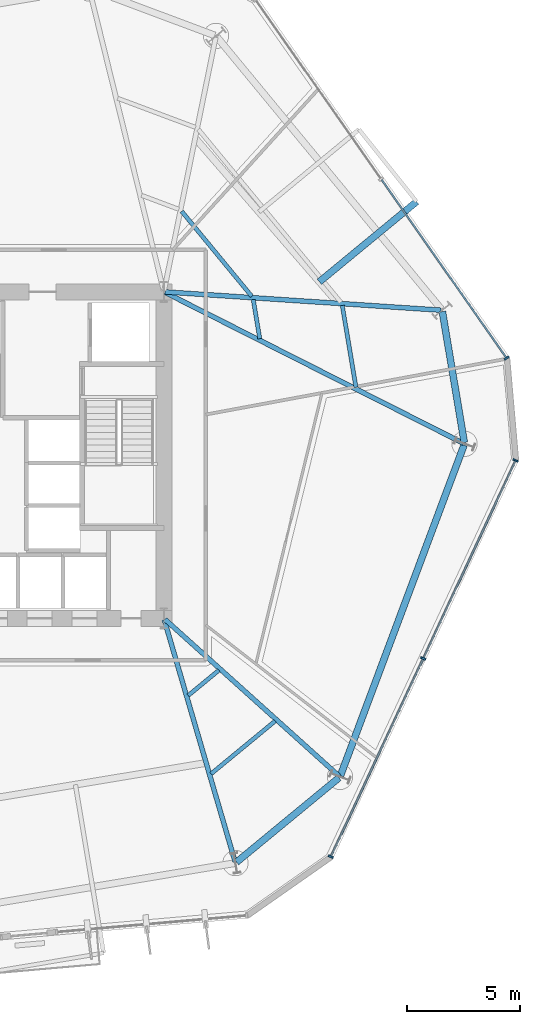
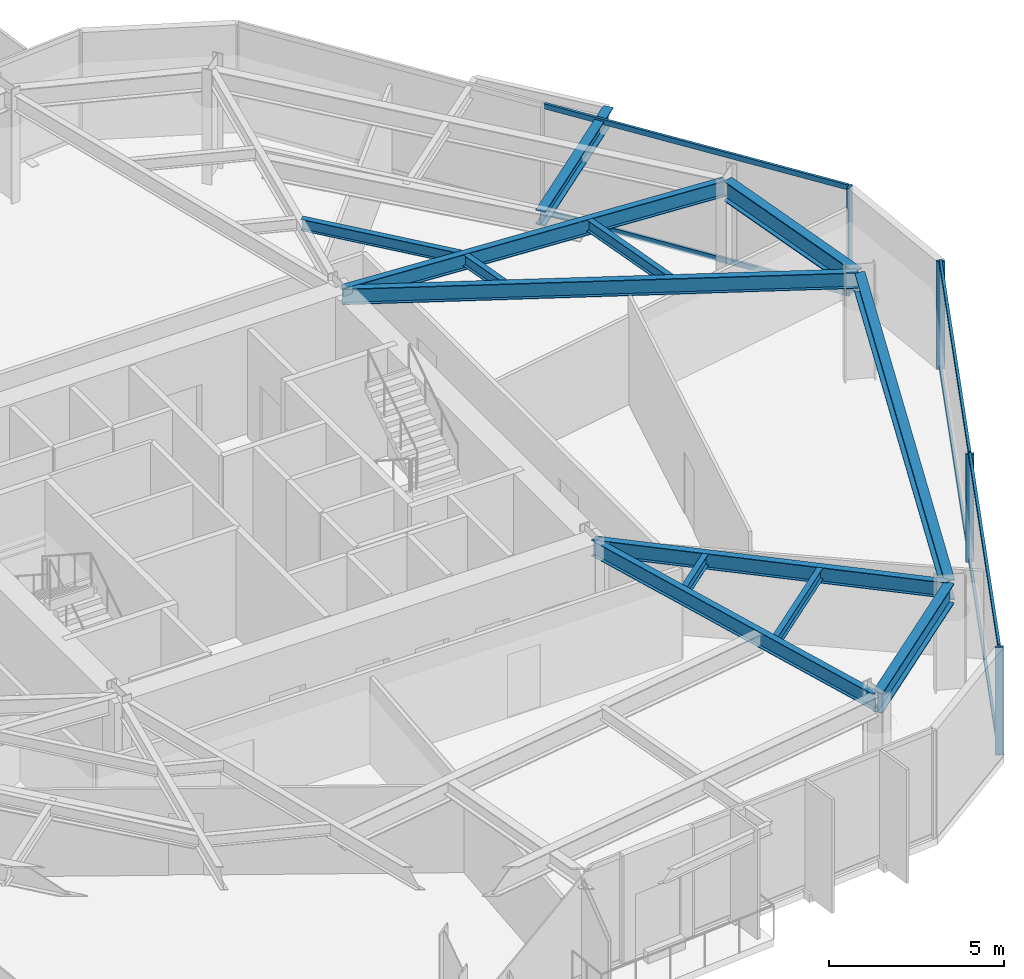
# One storey, part 4 of 11: 13 beams, 10 members, 2 elements without a shape of their own.
"""IFC4 building model written with IfcOpenShell, lengths in metres."""

import ifcopenshell
import ifcopenshell.guid

model = None  # the IFC model being written
_history = None  # IfcOwnerHistory: only IFC2X3 demands one
_inside = {}  # id of a spatial element -> (the spatial element, [elements in it])
_under = {}  # id of a project, library or spatial element -> (it, [spatial elements below it])
_declared = {}  # id of a project -> (the project, [libraries it declares])
_typed = {}  # id of a type object -> (the type object, [elements of that type])
_made_of = {}  # id of a material, layer set ... -> (it, [elements and type objects made of it])


def new_model(schema):
    """Start an empty IFC model of exactly this schema.

    Asked for "IFC4X3", IfcOpenShell would pick the latest addendum, in which some entities
    have other attributes; the version numbers below select the first issue.
    IFC2X3 requires an IfcOwnerHistory on every rooted entity: one is made here for all.
    """
    global model, _history
    if schema == "IFC4X3":
        model = ifcopenshell.file(schema_version=(4, 3, 0, 0))
    else:
        model = ifcopenshell.file(schema=schema)
    _inside.clear()
    _under.clear()
    _declared.clear()
    _typed.clear()
    _made_of.clear()
    _history = None
    if model.schema == "IFC2X3":
        org = make("IfcOrganization", Name="unknown")
        user = make(
            "IfcPersonAndOrganization",
            ThePerson=make("IfcPerson", FamilyName="unknown"),
            TheOrganization=org,
        )
        app = make(
            "IfcApplication",
            ApplicationDeveloper=org,
            Version="unknown",
            ApplicationFullName="unknown",
            ApplicationIdentifier="unknown",
        )
        _history = make(
            "IfcOwnerHistory",
            OwningUser=user,
            OwningApplication=app,
            ChangeAction="ADDED",
            CreationDate=0,
        )
    return model


def make(cls, **values):
    """One entity of the class cls with the attributes given. An attribute that is None is left unset."""
    return model.create_entity(
        cls, **{name: value for name, value in values.items() if value is not None}
    )


def rooted(cls, **values):
    """An entity with a GlobalId (a new one), such as an element, a storey or a relation."""
    return make(cls, GlobalId=ifcopenshell.guid.new(), OwnerHistory=_history, **values)


def si_unit(unit_type, name, prefix=None):
    """IfcSIUnit, for example si_unit("LENGTHUNIT", "METRE", prefix="MILLI")."""
    return make("IfcSIUnit", UnitType=unit_type, Prefix=prefix, Name=name)


def assignment(units):
    """IfcUnitAssignment: the units of a project."""
    return None if units is None else make("IfcUnitAssignment", Units=units)


def point(xyz):
    """IfcCartesianPoint."""
    return None if xyz is None else make("IfcCartesianPoint", Coordinates=xyz)


def direction(xyz):
    """IfcDirection."""
    return None if xyz is None else make("IfcDirection", DirectionRatios=xyz)


def frame(location, z_axis=None, x_axis=None):
    """IfcAxis2Placement3D, a coordinate frame: its origin and axes. An axis left out is left unset."""
    return make(
        "IfcAxis2Placement3D",
        Location=point(location),
        Axis=direction(z_axis),
        RefDirection=direction(x_axis),
    )


def frame_2d(location, x_axis=None):
    """IfcAxis2Placement2D, a coordinate frame in the plane: its origin and x axis."""
    return make(
        "IfcAxis2Placement2D", Location=point(location), RefDirection=direction(x_axis)
    )


def origin():
    """The frame at (0, 0, 0) with its axes left unset."""
    return frame((0.0, 0.0, 0.0))


def origin_2d():
    """The frame at (0, 0) in the plane with its x axis left unset."""
    return frame_2d((0.0, 0.0))


def place(relative_to, where):
    """IfcLocalPlacement: puts the frame where relative to a parent placement (None: the world)."""
    return make(
        "IfcLocalPlacement", PlacementRelTo=relative_to, RelativePlacement=where
    )


def context(
    kind, dimensions, precision=None, world=None, true_north=None, identifier=None
):
    """IfcGeometricRepresentationContext, for example the 3D "Model" context."""
    return make(
        "IfcGeometricRepresentationContext",
        ContextIdentifier=identifier,
        ContextType=kind,
        CoordinateSpaceDimension=dimensions,
        Precision=precision,
        WorldCoordinateSystem=world,
        TrueNorth=true_north,
    )


def subcontext(parent, identifier, kind, view, scale=None):
    """IfcGeometricRepresentationSubContext, for example "Body" below "Model"."""
    return make(
        "IfcGeometricRepresentationSubContext",
        ContextIdentifier=identifier,
        ContextType=kind,
        ParentContext=parent,
        TargetScale=scale,
        TargetView=view,
    )


def project(units=None, contexts=None):
    """IfcProject with its units and contexts."""
    return rooted(
        "IfcProject",
        Name="project",
        RepresentationContexts=contexts,
        UnitsInContext=assignment(units),
    )


def spatial(cls, under=None, at=None, **own):
    """A site, building, storey or space (cls), placed at a placement, below another one or the project."""
    s = rooted(cls, ObjectPlacement=at, **own)
    if under is not None:
        _under.setdefault(under.id(), (under, []))[1].append(s)
    return s


def profile(cls, at=None, kind="AREA", **sizes):
    """A parametric profile (cls). Its sizes go by their IFC names, for example OverallWidth=200.0."""
    return make(cls, ProfileType=kind, Position=at, **sizes)


def rectangle(**sizes):
    """IfcRectangleProfileDef."""
    return profile("IfcRectangleProfileDef", **sizes)


def i_section(**sizes):
    """IfcIShapeProfileDef."""
    return profile("IfcIShapeProfileDef", **sizes)


def extrude(swept, where, along, depth):
    """IfcExtrudedAreaSolid: the profile swept, set in the frame where, extruded along a direction by depth."""
    return make(
        "IfcExtrudedAreaSolid",
        SweptArea=swept,
        Position=where,
        ExtrudedDirection=direction(along),
        Depth=depth,
    )


def shape(context_of_items, identifier, shape_type, items):
    """IfcShapeRepresentation: the items that make up one representation, for example the "Body"."""
    return make(
        "IfcShapeRepresentation",
        ContextOfItems=context_of_items,
        RepresentationIdentifier=identifier,
        RepresentationType=shape_type,
        Items=items,
    )


def material(Name=None, Category=None):
    """IfcMaterial."""
    return make("IfcMaterial", Name=Name, Category=Category)


def layer(
    of_material, thickness, ventilated=None, Name=None, Category=None, Priority=None
):
    """IfcMaterialLayer: one layer of a wall or slab, of a material (None: an air gap)."""
    return make(
        "IfcMaterialLayer",
        Material=of_material,
        LayerThickness=thickness,
        IsVentilated=ventilated,
        Name=Name,
        Category=Category,
        Priority=Priority,
    )


def layer_set(layers, Name=None):
    """IfcMaterialLayerSet."""
    return make("IfcMaterialLayerSet", MaterialLayers=layers, LayerSetName=Name)


def material_profile(
    of_material, cross_section, Name=None, Category=None, Priority=None
):
    """IfcMaterialProfile: a cross section and its material."""
    return make(
        "IfcMaterialProfile",
        Name=Name,
        Material=of_material,
        Profile=cross_section,
        Priority=Priority,
        Category=Category,
    )


def profile_set(profiles, Name=None, composite=None):
    """IfcMaterialProfileSet."""
    return make(
        "IfcMaterialProfileSet",
        Name=Name,
        MaterialProfiles=profiles,
        CompositeProfile=composite,
    )


def made_of(thing, what):
    """Note that an element or type object is made of a material, layer set ...; save() writes the relation."""
    if what is not None:
        _made_of.setdefault(what.id(), (what, []))[1].append(thing)
    return thing


def type_object(cls, material=None, **own):
    """A type object (cls), such as IfcWallType, which elements share."""
    return made_of(rooted(cls, **own), material)


def element(
    cls,
    number,
    at=None,
    inside=None,
    cuts=None,
    type_object=None,
    material=None,
    context=None,
    identifier="Body",
    shape_type=None,
    held_by="IfcProductDefinitionShape",
    body=None,
    shapes=None,
    **own,
):
    """One element of the class cls, such as IfcWall. Its Tag is "e" and its number.

    at: its placement. inside: the storey or other place that contains it. cuts: it is an
    opening in that element (IfcRelVoidsElement). A single representation is given by context,
    identifier, shape_type and body (its items); several are given by shapes. held_by: the class
    of the entity that holds the representations. save() writes the other relations.
    """
    e = rooted(cls, Tag="e%d" % number, ObjectPlacement=at, **own)
    if body is not None:
        shapes = [shape(context, identifier, shape_type, body)]
    if shapes is not None:
        e.Representation = make(held_by, Representations=shapes)
    if inside is not None:
        _inside.setdefault(inside.id(), (inside, []))[1].append(e)
    if cuts is not None:
        rooted(
            "IfcRelVoidsElement", RelatingBuildingElement=cuts, RelatedOpeningElement=e
        )
    if type_object is not None:
        _typed.setdefault(type_object.id(), (type_object, []))[1].append(e)
    return made_of(e, material)


def aggregate(whole, parts):
    """IfcRelAggregates: a whole, such as a stair, and the parts it consists of."""
    return rooted("IfcRelAggregates", RelatingObject=whole, RelatedObjects=parts)


def save(model, path):
    """Write the relations noted so far, then the file.

    IfcRelAggregates (storeys below a building ...), IfcRelContainedInSpatialStructure (elements
    in a storey), IfcRelDefinesByType, IfcRelAssociatesMaterial and IfcRelDeclares: one each for
    every whole, place, type object, material and project.
    """
    for whole, parts in _under.values():
        aggregate(whole, parts)
    for where, things in _inside.values():
        rooted(
            "IfcRelContainedInSpatialStructure",
            RelatedElements=things,
            RelatingStructure=where,
        )
    for kind, things in _typed.values():
        rooted("IfcRelDefinesByType", RelatedObjects=things, RelatingType=kind)
    for what, things in _made_of.values():
        rooted("IfcRelAssociatesMaterial", RelatedObjects=things, RelatingMaterial=what)
    for by, libraries in _declared.values():
        rooted("IfcRelDeclares", RelatingContext=by, RelatedDefinitions=libraries)
    model.write(path)


model = new_model("IFC4")

# Units and contexts
model_context = context("Model", 3, precision=1e-05, world=origin(), true_north=direction((0.0, 1.0)))
body_context = subcontext(model_context, "Body", "Model", "MODEL_VIEW")
ifc_project = project(units=[si_unit("LENGTHUNIT", "METRE"), si_unit("AREAUNIT", "SQUARE_METRE"), si_unit("VOLUMEUNIT", "CUBIC_METRE"), si_unit("PLANEANGLEUNIT", "RADIAN"), si_unit("MASSUNIT", "GRAM", prefix="KILO")], contexts=[model_context])

# Site, building, storey
site_placement = place(None, origin())
site = spatial("IfcSite", under=ifc_project, at=site_placement, CompositionType="ELEMENT")
building_placement = place(site_placement, origin())
building = spatial("IfcBuilding", under=site, at=building_placement, Name="Kranzbogen Civic Tower", CompositionType="ELEMENT")
storey_placement = place(building_placement, frame((0.0, 0.0, 40.0)))
storey = spatial("IfcBuildingStorey", under=building, at=storey_placement, Name="L09", CompositionType="ELEMENT", Elevation=40.0)

# Curtain wall, member
ifc_material_1 = material(Name="Pale Anodised Aluminium", Category="aluminium")
ifc_layer = layer(ifc_material_1, 0.219970703125, Name="Pale Anodised Aluminium")
ifc_layer_set = layer_set([ifc_layer], Name="Pale Anodised Aluminium")
curtain_wall_type = type_object("IfcCurtainWallType", Name="Zone 1 Stick Curtain Wall System CW-02", PredefinedType="USERDEFINED", material=ifc_layer_set)
curtain_wall_1_placement = place(storey_placement, origin())
curtain_wall_1 = element("IfcCurtainWall", 1, at=curtain_wall_1_placement, inside=storey, type_object=curtain_wall_type, Name="L09 curtain wall CW-L09-F1", ObjectType="STICK CURTAIN WALL", PredefinedType="USERDEFINED")
ifc_material_profile_1 = material_profile(ifc_material_1, rectangle(XDim=0.080078125, YDim=0.239990234375, at=origin_2d()), Name="ALU-M 80x240")
ifc_profile_set_1 = profile_set([ifc_material_profile_1], Name="Pale Anodised Aluminium")
member_type_1 = type_object("IfcMemberType", Name="Curtain Wall Mullion ALU-M 80x240", PredefinedType="MULLION", material=ifc_profile_set_1)
member_1_placement = place(storey_placement, frame((47.913818359375, 29.275634765625, 0.0), z_axis=(0.0, 0.0, 1.0), x_axis=(-0.573562973826, 0.819161470685, 0.0)))
member_1 = element("IfcMember", 2, at=member_1_placement, type_object=member_type_1, Name="CW-02 mullion 1", PredefinedType="MULLION", context=body_context, shape_type="SweptSolid", body=[
    extrude(rectangle(XDim=0.080078125, YDim=0.239990234375, at=origin_2d()), origin(), (0.0, 0.0, 1.0), 3.760009765625),
])

# Curtain wall, members
curtain_wall_2_placement = place(storey_placement, origin())
curtain_wall_2 = element("IfcCurtainWall", 3, at=curtain_wall_2_placement, inside=storey, type_object=curtain_wall_type, Name="L09 curtain wall CW-L09-F6", ObjectType="STICK CURTAIN WALL", PredefinedType="USERDEFINED")
member_2_placement = place(storey_placement, frame((40.15966796875, 7.293212890625, 0.0), z_axis=(0.0, 0.0, 1.0), x_axis=(0.422622213878, 0.906305944114, 0.0)))
member_2 = element("IfcMember", 4, at=member_2_placement, type_object=member_type_1, Name="CW-02 mullion 1", PredefinedType="MULLION", context=body_context, shape_type="SweptSolid", body=[
    extrude(rectangle(XDim=0.080078125, YDim=0.239990234375, at=origin_2d()), origin(), (0.0, 0.0, 1.0), 3.760009765625),
])
member_3_placement = place(storey_placement, frame((44.23388671875, 16.030517578125, 0.0), z_axis=(0.0, 0.0, 1.0), x_axis=(0.422622213878, 0.906305944114, 0.0)))
member_3 = element("IfcMember", 5, at=member_3_placement, type_object=member_type_1, Name="CW-02 mullion 2", PredefinedType="MULLION", context=body_context, shape_type="SweptSolid", body=[
    extrude(rectangle(XDim=0.080078125, YDim=0.239990234375, at=origin_2d()), origin(), (0.0, 0.0, 1.0), 3.760009765625),
])
member_4_placement = place(storey_placement, frame((48.308349609375, 24.767822265625, 0.0), z_axis=(0.0, 0.0, 1.0), x_axis=(0.422622213878, 0.906305944114, 0.0)))
member_4 = element("IfcMember", 6, at=member_4_placement, type_object=member_type_1, Name="CW-02 mullion 3", PredefinedType="MULLION", context=body_context, shape_type="SweptSolid", body=[
    extrude(rectangle(XDim=0.080078125, YDim=0.239990234375, at=origin_2d()), origin(), (0.0, 0.0, 1.0), 3.760009765625),
])

# Member
ifc_material_profile_2 = material_profile(ifc_material_1, rectangle(XDim=0.080078125, YDim=0.179931640625, at=origin_2d()), Name="ALU-T 80x180")
ifc_profile_set_2 = profile_set([ifc_material_profile_2], Name="Pale Anodised Aluminium")
member_type_2 = type_object("IfcMemberType", Name="Curtain Wall Transom ALU-T 80x180", PredefinedType="USERDEFINED", material=ifc_profile_set_2)
member_5_placement = place(storey_placement, frame((47.896484375, 29.300048828125, 0.030029296875), z_axis=(-0.573556407074, 0.819166068575, 0.0), x_axis=(-0.819166068575, -0.573556407074, 0.0)))
member_5 = element("IfcMember", 7, at=member_5_placement, type_object=member_type_2, Name="CW-02 transom 1.1", ObjectType="TRANSOM", PredefinedType="USERDEFINED", context=body_context, shape_type="SweptSolid", body=[
    extrude(rectangle(XDim=0.080078125, YDim=0.179931640625, at=origin_2d()), origin(), (0.0, 0.0, 1.0), 9.580322265625),
])

member_6_placement = place(storey_placement, frame((47.896484375, 29.300048828125, 3.72998046875), z_axis=(-0.573556407074, 0.819166068575, 0.0), x_axis=(-0.819166068575, -0.573556407074, 0.0)))
member_6 = element("IfcMember", 8, at=member_6_placement, type_object=member_type_2, Name="CW-02 transom 1.2", ObjectType="TRANSOM", PredefinedType="USERDEFINED", context=body_context, shape_type="SweptSolid", body=[
    extrude(rectangle(XDim=0.080078125, YDim=0.179931640625, at=origin_2d()), origin(), (0.0, 0.0, 1.0), 9.580322265625),
])

aggregate(curtain_wall_1, [member_1, member_5, member_6])

member_7_placement = place(storey_placement, frame((40.17236328125, 7.3203125, 0.030029296875), z_axis=(0.422624579346, 0.906304841062, 0.0), x_axis=(-0.906304841062, 0.422624579346, 0.0)))
member_7 = element("IfcMember", 9, at=member_7_placement, type_object=member_type_2, Name="CW-02 transom 1.1", ObjectType="TRANSOM", PredefinedType="USERDEFINED", context=body_context, shape_type="SweptSolid", body=[
    extrude(rectangle(XDim=0.080078125, YDim=0.179931640625, at=origin_2d()), origin(), (0.0, 0.0, 1.0), 9.580810546875),
])

member_8_placement = place(storey_placement, frame((40.17236328125, 7.3203125, 3.72998046875), z_axis=(0.422624579346, 0.906304841062, 0.0), x_axis=(-0.906304841062, 0.422624579346, 0.0)))
member_8 = element("IfcMember", 10, at=member_8_placement, type_object=member_type_2, Name="CW-02 transom 1.2", ObjectType="TRANSOM", PredefinedType="USERDEFINED", context=body_context, shape_type="SweptSolid", body=[
    extrude(rectangle(XDim=0.080078125, YDim=0.179931640625, at=origin_2d()), origin(), (0.0, 0.0, 1.0), 9.580810546875),
])

member_9_placement = place(storey_placement, frame((44.24658203125, 16.0576171875, 0.030029296875), z_axis=(0.422624579346, 0.906304841062, 0.0), x_axis=(-0.906304841062, 0.422624579346, 0.0)))
member_9 = element("IfcMember", 11, at=member_9_placement, type_object=member_type_2, Name="CW-02 transom 2.1", ObjectType="TRANSOM", PredefinedType="USERDEFINED", context=body_context, shape_type="SweptSolid", body=[
    extrude(rectangle(XDim=0.080078125, YDim=0.179931640625, at=origin_2d()), origin(), (0.0, 0.0, 1.0), 9.580810546875),
])

member_10_placement = place(storey_placement, frame((44.24658203125, 16.0576171875, 3.72998046875), z_axis=(0.422624579346, 0.906304841062, 0.0), x_axis=(-0.906304841062, 0.422624579346, 0.0)))
member_10 = element("IfcMember", 12, at=member_10_placement, type_object=member_type_2, Name="CW-02 transom 2.2", ObjectType="TRANSOM", PredefinedType="USERDEFINED", context=body_context, shape_type="SweptSolid", body=[
    extrude(rectangle(XDim=0.080078125, YDim=0.179931640625, at=origin_2d()), origin(), (0.0, 0.0, 1.0), 9.580810546875),
])

aggregate(curtain_wall_2, [member_2, member_3, member_4, member_7, member_8, member_9, member_10])

# Beams
ifc_material_2 = material(Name="Steel S355", Category="steel")
ifc_material_profile_3 = material_profile(ifc_material_2, i_section(OverallWidth=0.300048828125, OverallDepth=0.5, WebThickness=0.014404296875, FlangeThickness=0.028076171875, at=origin_2d()), Name="HEB 500")
ifc_profile_set_3 = profile_set([ifc_material_profile_3], Name="Steel S355")
beam_type_1 = type_object("IfcBeamType", Name="Perimeter Tube Spandrel Beam HEB 500", PredefinedType="SPANDREL", material=ifc_profile_set_3)
beam_1_placement = place(storey_placement, frame((39.657958984375, 32.64208984375, 3.5), z_axis=(0.771601767569, 0.636105897068, 0.0), x_axis=(-0.636105897068, 0.771601767569, 0.0)))
element("IfcBeam", 13, at=beam_1_placement, inside=storey, type_object=beam_type_1, Name="L10 back-spanned terrace beam L10-TB2-1", PredefinedType="SPANDREL", context=body_context, shape_type="SweptSolid", body=[
    extrude(i_section(OverallWidth=0.300048828125, OverallDepth=0.5, WebThickness=0.014404296875, FlangeThickness=0.028076171875, at=origin_2d()), origin(), (0.0, 0.0, 1.0), 5.55859375),
])
ifc_material_profile_4 = material_profile(ifc_material_2, i_section(OverallWidth=0.300048828125, OverallDepth=0.699951171875, WebThickness=0.01708984375, FlangeThickness=0.031982421875, at=origin_2d()), Name="HEB 700")
ifc_profile_set_4 = profile_set([ifc_material_profile_4], Name="Steel S355")
beam_type_2 = type_object("IfcBeamType", Name="Perimeter Tube Spandrel Beam HEB 700", PredefinedType="SPANDREL", material=ifc_profile_set_4)
beam_2_placement = place(storey_placement, frame((36.00390625, 7.050048828125, 3.409912109375), z_axis=(0.77168336865, 0.636006901337, 0.0), x_axis=(-0.636006901337, 0.77168336865, 0.0)))
element("IfcBeam", 14, at=beam_2_placement, inside=storey, type_object=beam_type_2, Name="L09 perimeter spandrel beam 05", PredefinedType="SPANDREL", context=body_context, shape_type="SweptSolid", body=[
    extrude(i_section(OverallWidth=0.300048828125, OverallDepth=0.699951171875, WebThickness=0.01708984375, FlangeThickness=0.031982421875, at=origin_2d()), origin(), (0.0, 0.0, 1.0), 5.853515625),
])
beam_3_placement = place(storey_placement, frame((40.587890625, 10.866943359375, 3.409912109375), z_axis=(0.350172267932, 0.936685316833, 0.0), x_axis=(-0.936685316833, 0.350172267932, 0.0)))
element("IfcBeam", 15, at=beam_3_placement, inside=storey, type_object=beam_type_2, Name="L09 perimeter spandrel beam 06", PredefinedType="SPANDREL", context=body_context, shape_type="SweptSolid", body=[
    extrude(i_section(OverallWidth=0.300048828125, OverallDepth=0.699951171875, WebThickness=0.01708984375, FlangeThickness=0.031982421875, at=origin_2d()), origin(), (0.0, 0.0, 1.0), 15.55810546875),
])
beam_4_placement = place(storey_placement, frame((46.047119140625, 25.554931640625, 3.409912109375), z_axis=(-0.164913116942, 0.986308097838, 0.0), x_axis=(-0.986308097838, -0.164913116942, 0.0)))
element("IfcBeam", 16, at=beam_4_placement, inside=storey, type_object=beam_type_2, Name="L09 perimeter spandrel beam 07", PredefinedType="SPANDREL", context=body_context, shape_type="SweptSolid", body=[
    extrude(i_section(OverallWidth=0.300048828125, OverallDepth=0.699951171875, WebThickness=0.01708984375, FlangeThickness=0.031982421875, at=origin_2d()), origin(), (0.0, 0.0, 1.0), 5.85205078125),
])
ifc_material_profile_5 = material_profile(ifc_material_2, i_section(OverallWidth=0.2099609375, OverallDepth=0.550048828125, WebThickness=0.010986328125, FlangeThickness=0.01708984375, at=origin_2d()), Name="IPE 550")
ifc_profile_set_5 = profile_set([ifc_material_profile_5], Name="Steel S355")
beam_type_3 = type_object("IfcBeamType", Name="Radial Tower Floor Girder IPE 550", PredefinedType="BEAM", material=ifc_profile_set_5)
beam_5_placement = place(storey_placement, frame((35.94091796875, 7.070068359375, 3.485107421875), z_axis=(-0.280944131918, 0.959724124288, 0.0), x_axis=(-0.959724124288, -0.280944131918, 0.0)))
element("IfcBeam", 17, at=beam_5_placement, inside=storey, type_object=beam_type_3, Name="L09 radial floor girder 05", PredefinedType="BEAM", context=body_context, shape_type="SweptSolid", body=[
    extrude(i_section(OverallWidth=0.2099609375, OverallDepth=0.550048828125, WebThickness=0.010986328125, FlangeThickness=0.01708984375, at=origin_2d()), origin(), (0.0, 0.0, 1.0), 11.11962890625),
])
beam_6_placement = place(storey_placement, frame((40.52197265625, 10.85107421875, 3.485107421875), z_axis=(-0.743311776894, 0.668945141496, 0.0), x_axis=(-0.668945141496, -0.743311776894, 0.0)))
element("IfcBeam", 18, at=beam_6_placement, inside=storey, type_object=beam_type_3, Name="L09 radial floor girder 06", PredefinedType="BEAM", context=body_context, shape_type="SweptSolid", body=[
    extrude(i_section(OverallWidth=0.2099609375, OverallDepth=0.550048828125, WebThickness=0.010986328125, FlangeThickness=0.01708984375, at=origin_2d()), origin(), (0.0, 0.0, 1.0), 10.328125),
])
beam_7_placement = place(storey_placement, frame((46.0029296875, 25.52294921875, 3.485107421875), z_axis=(-0.892363219254, 0.451317942168, 0.0), x_axis=(-0.451317942168, -0.892363219254, 0.0)))
element("IfcBeam", 19, at=beam_7_placement, inside=storey, type_object=beam_type_3, Name="L09 radial floor girder 07", PredefinedType="BEAM", context=body_context, shape_type="SweptSolid", body=[
    extrude(i_section(OverallWidth=0.2099609375, OverallDepth=0.550048828125, WebThickness=0.010986328125, FlangeThickness=0.01708984375, at=origin_2d()), origin(), (0.0, 0.0, 1.0), 14.73486328125),
])
beam_8_placement = place(storey_placement, frame((45.011962890625, 31.389892578125, 3.485107421875), z_axis=(-0.99780674843, 0.066194356156, 0.0), x_axis=(-0.066194356156, -0.99780674843, 0.0)))
element("IfcBeam", 20, at=beam_8_placement, inside=storey, type_object=beam_type_3, Name="L09 radial floor girder 08", PredefinedType="BEAM", context=body_context, shape_type="SweptSolid", body=[
    extrude(i_section(OverallWidth=0.2099609375, OverallDepth=0.550048828125, WebThickness=0.010986328125, FlangeThickness=0.01708984375, at=origin_2d()), origin(), (0.0, 0.0, 1.0), 12.178466796875),
])
ifc_material_profile_6 = material_profile(ifc_material_2, i_section(OverallWidth=0.179931640625, OverallDepth=0.39990234375, WebThickness=0.008544921875, FlangeThickness=0.013427734375, at=origin_2d()), Name="IPE 400")
ifc_profile_set_6 = profile_set([ifc_material_profile_6], Name="Steel S355")
beam_type_4 = type_object("IfcBeamType", Name="Secondary Composite Floor Joist IPE 400", PredefinedType="JOIST", material=ifc_profile_set_6)
beam_9_placement = place(storey_placement, frame((34.883056640625, 10.947021484375, 3.56005859375), z_axis=(0.771712720426, 0.635971286406, 0.0), x_axis=(-0.635971286406, 0.771712720426, 0.0)))
element("IfcBeam", 21, at=beam_9_placement, inside=storey, type_object=beam_type_4, Name="L09 secondary floor joist 1.05", PredefinedType="JOIST", context=body_context, shape_type="SweptSolid", body=[
    extrude(i_section(OverallWidth=0.179931640625, OverallDepth=0.39990234375, WebThickness=0.008544921875, FlangeThickness=0.013427734375, at=origin_2d()), origin(), (0.0, 0.0, 1.0), 3.661865234375),
])
beam_10_placement = place(storey_placement, frame((33.8720703125, 14.39892578125, 3.56005859375), z_axis=(0.771773324836, 0.635897739477, 0.0), x_axis=(-0.635897739477, 0.771773324836, 0.0)))
element("IfcBeam", 22, at=beam_10_placement, inside=storey, type_object=beam_type_4, Name="L09 secondary floor joist 2.05", PredefinedType="JOIST", context=body_context, shape_type="SweptSolid", body=[
    extrude(i_section(OverallWidth=0.179931640625, OverallDepth=0.39990234375, WebThickness=0.008544921875, FlangeThickness=0.013427734375, at=origin_2d()), origin(), (0.0, 0.0, 1.0), 1.751953125),
])
beam_11_placement = place(storey_placement, frame((41.27099609375, 27.988037109375, 3.56005859375), z_axis=(-0.164928678379, 0.986305495802, 0.0), x_axis=(-0.986305495802, -0.164928678379, 0.0)))
element("IfcBeam", 23, at=beam_11_placement, inside=storey, type_object=beam_type_4, Name="L09 secondary floor joist 1.07", PredefinedType="JOIST", context=body_context, shape_type="SweptSolid", body=[
    extrude(i_section(OverallWidth=0.179931640625, OverallDepth=0.39990234375, WebThickness=0.008544921875, FlangeThickness=0.013427734375, at=origin_2d()), origin(), (0.0, 0.0, 1.0), 3.662109375),
])
beam_12_placement = place(storey_placement, frame((37.029052734375, 30.134033203125, 3.56005859375), z_axis=(-0.165077224104, 0.986280644686, 0.0), x_axis=(-0.986280644686, -0.165077224104, 0.0)))
element("IfcBeam", 24, at=beam_12_placement, inside=storey, type_object=beam_type_4, Name="L09 secondary floor joist 2.07", PredefinedType="JOIST", context=body_context, shape_type="SweptSolid", body=[
    extrude(i_section(OverallWidth=0.179931640625, OverallDepth=0.39990234375, WebThickness=0.008544921875, FlangeThickness=0.013427734375, at=origin_2d()), origin(), (0.0, 0.0, 1.0), 1.7509765625),
])
beam_13_placement = place(storey_placement, frame((36.676025390625, 32.0009765625, 3.56005859375), z_axis=(-0.636012010413, 0.771679157818, 0.0), x_axis=(-0.771679157818, -0.636012010413, 0.0)))
element("IfcBeam", 25, at=beam_13_placement, inside=storey, type_object=beam_type_4, Name="L09 secondary floor joist 2.08", PredefinedType="JOIST", context=body_context, shape_type="SweptSolid", body=[
    extrude(i_section(OverallWidth=0.179931640625, OverallDepth=0.39990234375, WebThickness=0.008544921875, FlangeThickness=0.013427734375, at=origin_2d()), origin(), (0.0, 0.0, 1.0), 4.85693359375),
])

save(model, "model.ifc")
